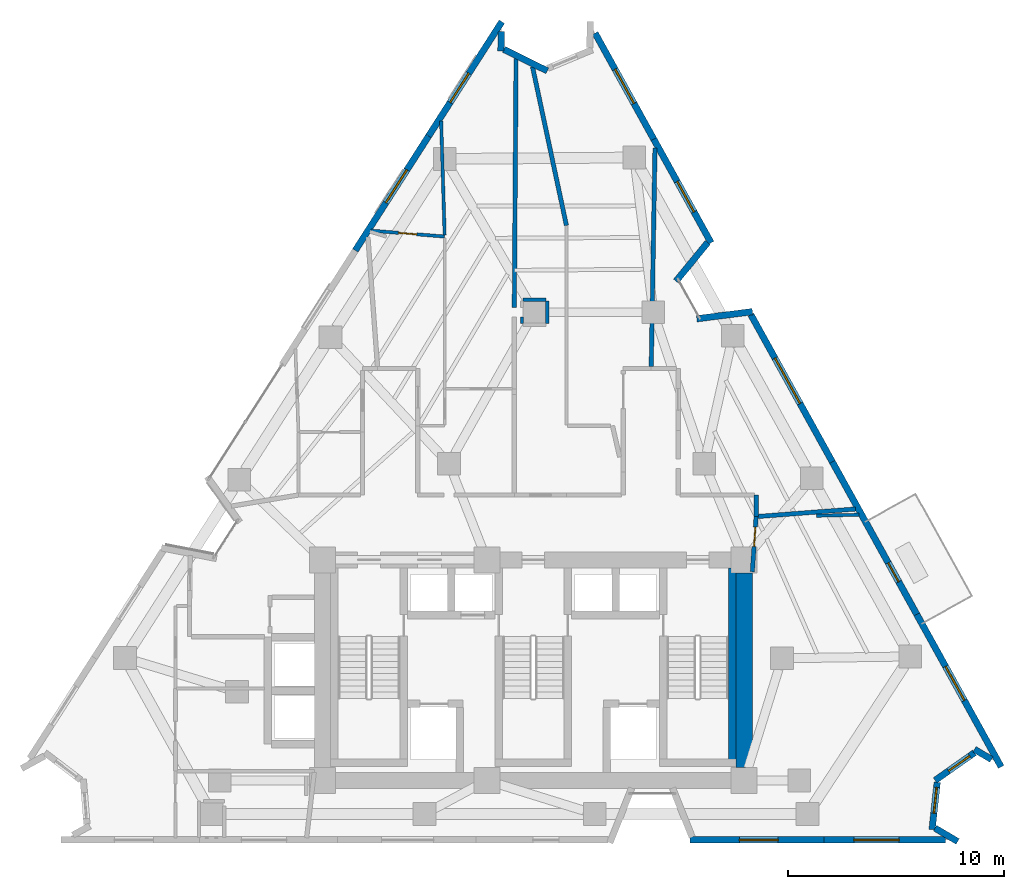
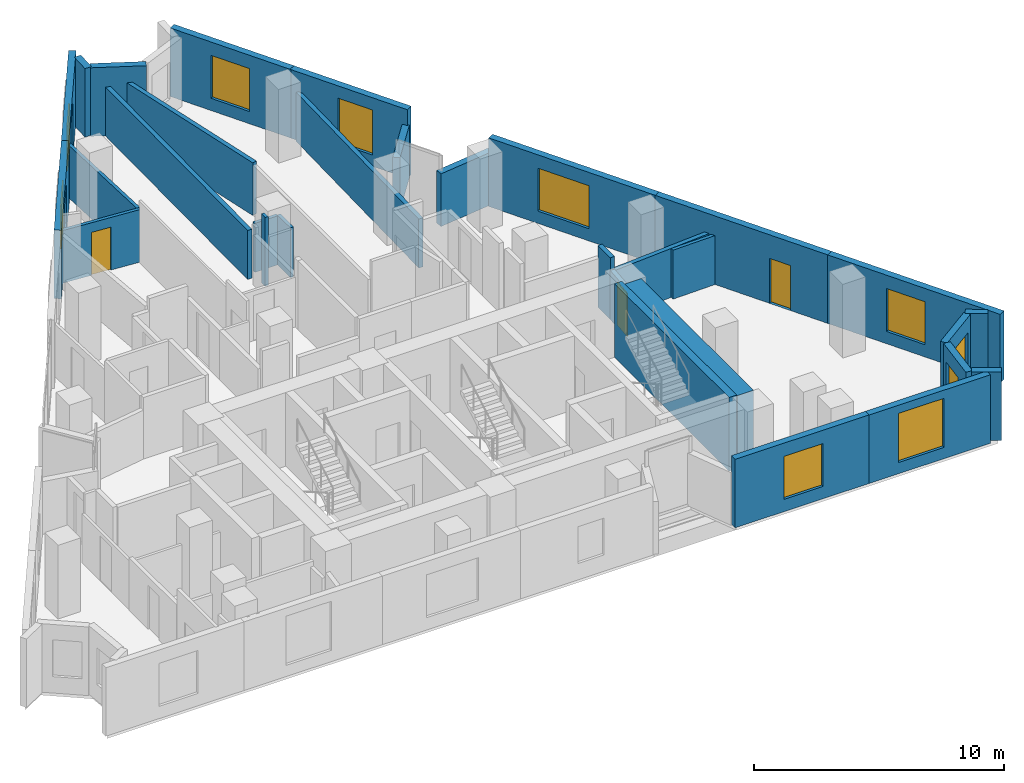
# One storey, part 8 of 11: 31 walls, 10 windows, 3 doors, 13 openings.
"""IFC4 building model written with IfcOpenShell, lengths in metres."""

from ifc_helpers import new_model, si_unit, direction, frame, frame_2d, origin, place, context, subcontext, project, spatial, rectangle, extrude, material, layer, layer_set, type_object, element, fill, save


model = new_model("IFC4")

# Units and contexts
model_context = context("Model", 3, precision=1e-05, world=origin(), true_north=direction((0.0, 1.0)))
body_context = subcontext(model_context, "Body", "Model", "MODEL_VIEW")
ifc_project = project(units=[si_unit("LENGTHUNIT", "METRE"), si_unit("AREAUNIT", "SQUARE_METRE"), si_unit("VOLUMEUNIT", "CUBIC_METRE"), si_unit("PLANEANGLEUNIT", "RADIAN"), si_unit("MASSUNIT", "GRAM", prefix="KILO")], contexts=[model_context])

# Site, building, storey
site_placement = place(None, origin())
site = spatial("IfcSite", under=ifc_project, at=site_placement, CompositionType="ELEMENT")
building_placement = place(site_placement, origin())
building = spatial("IfcBuilding", under=site, at=building_placement, Name="Almagre Mirador Tower", CompositionType="ELEMENT")
storey_placement = place(building_placement, frame((0.0, 0.0, 157.199951171875)))
storey = spatial("IfcBuildingStorey", under=building, at=storey_placement, Name="L40", CompositionType="ELEMENT", Elevation=157.199951171875)

# Wall, opening, window
ifc_material_1 = material(Name="Precast concrete C50/60", Category="concrete")
ifc_layer_1 = layer(ifc_material_1, 0.300048828125)
ifc_layer_set_1 = layer_set([ifc_layer_1], Name="Precast concrete C50/60")
wall_type_1 = type_object("IfcWallType", Name="WAL-EXT-300", PredefinedType="SOLIDWALL", material=ifc_layer_set_1)
wall_1_placement = place(storey_placement, frame((29.06689453125, 29.05859375, 0.0), z_axis=(0.0, 0.0, 1.0), x_axis=(0.539534675603, 0.841963380333, 0.0)))
wall_1 = element("IfcWall", 1, at=wall_1_placement, inside=storey, type_object=wall_type_1, Name="L40 expressed almagre precast frame wall 04", PredefinedType="SOLIDWALL", context=body_context, shape_type="SweptSolid", body=[
    extrude(rectangle(XDim=6.27880859375, YDim=0.300048828125, at=frame_2d((3.139404296875, 0.0))), origin(), (0.0, 0.0, 1.0), 3.35009765625),
])
opening_1_placement = place(wall_1_placement, frame((2.625, 0.0, 0.60009765625)))
opening_1 = element("IfcOpeningElement", 2, at=opening_1_placement, cuts=wall_1, Name="Opening WN-01", PredefinedType="OPENING", context=body_context, shape_type="SweptSolid", body=[
    extrude(rectangle(XDim=1.800048828125, YDim=2.10009765625, at=frame_2d((0.89990234375, 1.050048828125))), frame((0.0, 0.159902, 0.0), z_axis=(0.0, -1.0, 0.0), x_axis=(1.0, 0.0, 0.0)), (0.0, 0.0, 1.0), 0.320049),
])
ifc_material_2 = material(Name="Dark solar-control laminated hurricane glass", Category="glass")
window_type_1 = type_object("IfcWindowType", Name="WIN-1800X2100", PartitioningType="DOUBLE_PANEL_VERTICAL", PredefinedType="WINDOW", material=ifc_material_2)
window_1_placement = place(opening_1_placement, origin())
window_1 = element("IfcWindow", 3, at=window_1_placement, inside=storey, type_object=window_type_1, Name="L40 recessed hurricane window L40-UG-HB", OverallHeight=2.10009765625, OverallWidth=1.800048828125, PartitioningType="SINGLE_PANEL", PredefinedType="WINDOW", context=body_context, shape_type="SweptSolid", body=[
    extrude(rectangle(XDim=1.800048828125, YDim=2.10009765625, at=frame_2d((0.89990234375, 1.050048828125))), frame((0.0, 0.030029296875, 0.0), z_axis=(0.0, -1.0, 0.0), x_axis=(1.0, 0.0, 0.0)), (0.0, 0.0, 1.0), 0.06005859375),
])
fill(opening_1, window_1)

wall_2_placement = place(storey_placement, frame((32.45458984375, 34.34521484375, 0.0), z_axis=(0.0, 0.0, 1.0), x_axis=(0.539489448276, 0.841992360535, 0.0)))
wall_2 = element("IfcWall", 4, at=wall_2_placement, inside=storey, type_object=wall_type_1, Name="L40 expressed almagre precast frame wall 05", PredefinedType="SOLIDWALL", context=body_context, shape_type="SweptSolid", body=[
    extrude(rectangle(XDim=6.279052734375, YDim=0.300048828125, at=frame_2d((3.1396484375, 0.0))), origin(), (0.0, 0.0, 1.0), 3.35009765625),
])
opening_2_placement = place(wall_2_placement, frame((1.85009765625, 0.0, 0.550048828125)))
opening_2 = element("IfcOpeningElement", 5, at=opening_2_placement, cuts=wall_2, Name="Opening WN-06", PredefinedType="OPENING", context=body_context, shape_type="SweptSolid", body=[
    extrude(rectangle(XDim=1.60009765625, YDim=2.199951171875, at=frame_2d((0.800048828125, 1.10009765625))), frame((0.0, 0.159902, 0.0), z_axis=(0.0, -1.0, 0.0), x_axis=(1.0, 0.0, 0.0)), (0.0, 0.0, 1.0), 0.320049),
])
ifc_material_3 = material(Name="Dark solar-control laminated hurricane glass", Category="glass")
window_type_2 = type_object("IfcWindowType", Name="WIN-1600X2200", PartitioningType="DOUBLE_PANEL_VERTICAL", PredefinedType="WINDOW", material=ifc_material_3)
window_2_placement = place(opening_2_placement, origin())
window_2 = element("IfcWindow", 6, at=window_2_placement, inside=storey, type_object=window_type_2, Name="L40 recessed hurricane window L40-UG-SL1", OverallHeight=2.199951171875, OverallWidth=1.60009765625, PartitioningType="SINGLE_PANEL", PredefinedType="WINDOW", context=body_context, shape_type="SweptSolid", body=[
    extrude(rectangle(XDim=1.60009765625, YDim=2.199951171875, at=frame_2d((0.800048828125, 1.10009765625))), frame((0.0, 0.030029296875, 0.0), z_axis=(0.0, -1.0, 0.0), x_axis=(1.0, 0.0, 0.0)), (0.0, 0.0, 1.0), 0.06005859375),
])
fill(opening_2, window_2)

# Walls
wall_3_placement = place(storey_placement, frame((35.82763671875, 39.187255859375, 0.0), z_axis=(0.0, 0.0, 1.0), x_axis=(-0.031938584897, -0.999489833262, 0.0)))
element("IfcWall", 7, at=wall_3_placement, inside=storey, type_object=wall_type_1, Name="L40 expressed almagre precast frame wall 06", PredefinedType="SOLIDWALL", context=body_context, shape_type="SweptSolid", body=[
    extrude(rectangle(XDim=0.90966796875, YDim=0.300048828125, at=frame_2d((0.454833984375, 0.0))), origin(), (0.0, 0.0, 1.0), 3.35009765625),
])
wall_4_placement = place(storey_placement, frame((35.928466796875, 38.35595703125, 0.0), z_axis=(0.0, 0.0, 1.0), x_axis=(0.896845505116, -0.442343915922, 0.0)))
element("IfcWall", 8, at=wall_4_placement, inside=storey, type_object=wall_type_1, Name="L40 expressed almagre precast frame wall 07", PredefinedType="SOLIDWALL", context=body_context, shape_type="SweptSolid", body=[
    extrude(rectangle(XDim=2.2490234375, YDim=0.300048828125, at=frame_2d((1.12451171875, 0.0))), origin(), (0.0, 0.0, 1.0), 3.35009765625),
])

# Wall, opening, window
wall_5_placement = place(storey_placement, frame((40.15478515625, 39.106201171875, 0.0), z_axis=(0.0, 0.0, 1.0), x_axis=(0.484204903903, -0.874954633702, 0.0)))
wall_5 = element("IfcWall", 9, at=wall_5_placement, inside=storey, type_object=wall_type_1, Name="L40 expressed almagre precast frame wall 10", PredefinedType="SOLIDWALL", context=body_context, shape_type="SweptSolid", body=[
    extrude(rectangle(XDim=5.653076171875, YDim=0.300048828125, at=frame_2d((2.82666015625, 0.0))), origin(), (0.0, 0.0, 1.0), 3.35009765625),
])
opening_3_placement = place(wall_5_placement, frame((1.909912109375, 0.0, 0.60009765625)))
opening_3 = element("IfcOpeningElement", 10, at=opening_3_placement, cuts=wall_5, Name="Opening WN-01", PredefinedType="OPENING", context=body_context, shape_type="SweptSolid", body=[
    extrude(rectangle(XDim=1.800048828125, YDim=2.10009765625, at=frame_2d((0.89990234375, 1.050048828125))), frame((0.0, 0.159902, 0.0), z_axis=(0.0, -1.0, 0.0), x_axis=(1.0, 0.0, 0.0)), (0.0, 0.0, 1.0), 0.320049),
])
window_3_placement = place(opening_3_placement, origin())
window_3 = element("IfcWindow", 11, at=window_3_placement, inside=storey, type_object=window_type_1, Name="L40 recessed hurricane window L40-RST-H", OverallHeight=2.10009765625, OverallWidth=1.800048828125, PartitioningType="SINGLE_PANEL", PredefinedType="WINDOW", context=body_context, shape_type="SweptSolid", body=[
    extrude(rectangle(XDim=1.800048828125, YDim=2.10009765625, at=frame_2d((0.89990234375, 1.050048828125))), frame((0.0, 0.030029296875, 0.0), z_axis=(0.0, -1.0, 0.0), x_axis=(1.0, 0.0, 0.0)), (0.0, 0.0, 1.0), 0.06005859375),
])
fill(opening_3, window_3)

wall_6_placement = place(storey_placement, frame((42.866455078125, 34.206298828125, 0.0), z_axis=(0.0, 0.0, 1.0), x_axis=(0.484193476584, -0.874960957548, 0.0)))
wall_6 = element("IfcWall", 12, at=wall_6_placement, inside=storey, type_object=wall_type_1, Name="L40 expressed almagre precast frame wall 11", PredefinedType="SOLIDWALL", context=body_context, shape_type="SweptSolid", body=[
    extrude(rectangle(XDim=5.47998046875, YDim=0.300048828125, at=frame_2d((2.739990234375, 0.0))), origin(), (0.0, 0.0, 1.0), 3.35009765625),
])
opening_4_placement = place(wall_6_placement, frame((2.2451171875, 0.0, 0.550048828125)))
opening_4 = element("IfcOpeningElement", 13, at=opening_4_placement, cuts=wall_6, Name="Opening WN-06", PredefinedType="OPENING", context=body_context, shape_type="SweptSolid", body=[
    extrude(rectangle(XDim=1.60009765625, YDim=2.199951171875, at=frame_2d((0.800048828125, 1.10009765625))), frame((0.0, 0.159902, 0.0), z_axis=(0.0, -1.0, 0.0), x_axis=(1.0, 0.0, 0.0)), (0.0, 0.0, 1.0), 0.320049),
])
window_4_placement = place(opening_4_placement, origin())
window_4 = element("IfcWindow", 14, at=window_4_placement, inside=storey, type_object=window_type_2, Name="L40 recessed hurricane window L40-UF-ST", OverallHeight=2.199951171875, OverallWidth=1.60009765625, PartitioningType="SINGLE_PANEL", PredefinedType="WINDOW", context=body_context, shape_type="SweptSolid", body=[
    extrude(rectangle(XDim=1.60009765625, YDim=2.199951171875, at=frame_2d((0.800048828125, 1.10009765625))), frame((0.0, 0.030029296875, 0.0), z_axis=(0.0, -1.0, 0.0), x_axis=(1.0, 0.0, 0.0)), (0.0, 0.0, 1.0), 0.06005859375),
])
fill(opening_4, window_4)

# Walls
wall_7_placement = place(storey_placement, frame((45.36328125, 29.42578125, 0.0), z_axis=(0.0, 0.0, 1.0), x_axis=(-0.634082112051, -0.773265720937, 0.0)))
element("IfcWall", 15, at=wall_7_placement, inside=storey, type_object=wall_type_1, Name="L40 expressed almagre precast frame wall 12", PredefinedType="SOLIDWALL", context=body_context, shape_type="SweptSolid", body=[
    extrude(rectangle(XDim=2.313720703125, YDim=0.300048828125, at=frame_2d((1.15673828125, 0.0))), origin(), (0.0, 0.0, 1.0), 2.574951171875),
])
wall_8_placement = place(storey_placement, frame((44.858154296875, 25.8994140625, 0.0), z_axis=(0.0, 0.0, 1.0), x_axis=(0.991953049751, 0.126606267974, 0.0)))
element("IfcWall", 16, at=wall_8_placement, inside=storey, type_object=wall_type_1, Name="L40 expressed almagre precast frame wall 13", PredefinedType="SOLIDWALL", context=body_context, shape_type="SweptSolid", body=[
    extrude(rectangle(XDim=2.593505859375, YDim=0.300048828125, at=frame_2d((1.296875, 0.0))), origin(), (0.0, 0.0, 1.0), 2.574951171875),
])

# Wall, opening, window
wall_9_placement = place(storey_placement, frame((47.35986328125, 26.08740234375, 0.0), z_axis=(0.0, 0.0, 1.0), x_axis=(0.484182040501, -0.874967286049, 0.0)))
wall_9 = element("IfcWall", 17, at=wall_9_placement, inside=storey, type_object=wall_type_1, Name="L40 expressed almagre precast frame wall 14", PredefinedType="SOLIDWALL", context=body_context, shape_type="SweptSolid", body=[
    extrude(rectangle(XDim=7.779296875, YDim=0.300048828125, at=frame_2d((3.8896484375, 0.0))), origin(), (0.0, 0.0, 1.0), 3.35009765625),
])
opening_5_placement = place(wall_9_placement, frame((2.294921875, 0.0, 0.60009765625)))
opening_5 = element("IfcOpeningElement", 18, at=opening_5_placement, cuts=wall_9, Name="Opening WN-02", PredefinedType="OPENING", context=body_context, shape_type="SweptSolid", body=[
    extrude(rectangle(XDim=2.39990234375, YDim=2.10009765625, at=frame_2d((1.199951171875, 1.050048828125))), frame((0.0, 0.159902, 0.0), z_axis=(0.0, -1.0, 0.0), x_axis=(1.0, 0.0, 0.0)), (0.0, 0.0, 1.0), 0.320049),
])
ifc_material_4 = material(Name="Dark solar-control laminated hurricane glass", Category="glass")
window_type_3 = type_object("IfcWindowType", Name="WIN-2400X2100", PartitioningType="TRIPLE_PANEL_VERTICAL", PredefinedType="WINDOW", material=ifc_material_4)
window_5_placement = place(opening_5_placement, origin())
window_5 = element("IfcWindow", 19, at=window_5_placement, inside=storey, type_object=window_type_3, Name="L40 recessed hurricane window L40-UF-ST", OverallHeight=2.10009765625, OverallWidth=2.39990234375, PartitioningType="SINGLE_PANEL", PredefinedType="WINDOW", context=body_context, shape_type="SweptSolid", body=[
    extrude(rectangle(XDim=2.39990234375, YDim=2.10009765625, at=frame_2d((1.199951171875, 1.050048828125))), frame((0.0, 0.030029296875, 0.0), z_axis=(0.0, -1.0, 0.0), x_axis=(1.0, 0.0, 0.0)), (0.0, 0.0, 1.0), 0.06005859375),
])
fill(opening_5, window_5)

# Wall, opening, door
wall_10_placement = place(storey_placement, frame((51.12646484375, 19.28076171875, 0.0), z_axis=(0.0, 0.0, 1.0), x_axis=(0.484181305153, -0.87496769297, 0.0)))
wall_10 = element("IfcWall", 20, at=wall_10_placement, inside=storey, type_object=wall_type_1, Name="L40 expressed almagre precast frame wall 15", PredefinedType="SOLIDWALL", context=body_context, shape_type="SweptSolid", body=[
    extrude(rectangle(XDim=8.05908203125, YDim=0.300048828125, at=frame_2d((4.029541015625, 0.0))), origin(), (0.0, 0.0, 1.0), 3.35009765625),
])
opening_6_placement = place(wall_10_placement, frame((5.3349609375, 0.0, 0.0)))
opening_6 = element("IfcOpeningElement", 21, at=opening_6_placement, cuts=wall_10, Name="Opening BD-01", PredefinedType="OPENING", context=body_context, shape_type="SweptSolid", body=[
    extrude(rectangle(XDim=1.0, YDim=2.199951171875, at=frame_2d((0.5, 1.10009765625))), frame((0.0, 0.159902, 0.0), z_axis=(0.0, -1.0, 0.0), x_axis=(1.0, 0.0, 0.0)), (0.0, 0.0, 1.0), 0.320049),
])
ifc_material_5 = material(Name="Black anodized aluminium and laminated glass", Category="aluminium")
door_type_1 = type_object("IfcDoorType", Name="DOR-BAL-1000X2200", OperationType="NOTDEFINED", PredefinedType="DOOR", material=ifc_material_5)
door_1_placement = place(opening_6_placement, origin())
door_1 = element("IfcDoor", 22, at=door_1_placement, inside=storey, type_object=door_type_1, Name="DR-1287 L40 east balcony glazed door 1", OperationType="SINGLE_SWING_LEFT", OverallHeight=2.199951171875, OverallWidth=1.0, PredefinedType="DOOR", context=body_context, shape_type="SweptSolid", body=[
    extrude(rectangle(XDim=1.0, YDim=2.199951171875, at=frame_2d((0.5, 1.10009765625))), frame((0.0, 0.02490234375, 0.0), z_axis=(0.0, -1.0, 0.0), x_axis=(1.0, 0.0, 0.0)), (0.0, 0.0, 1.0), 0.050048828125),
])
fill(opening_6, door_1)

# Wall, opening, window
wall_11_placement = place(storey_placement, frame((55.028564453125, 12.229248046875, 0.0), z_axis=(0.0, 0.0, 1.0), x_axis=(0.484191662818, -0.874961961263, 0.0)))
wall_11 = element("IfcWall", 23, at=wall_11_placement, inside=storey, type_object=wall_type_1, Name="L40 expressed almagre precast frame wall 16", PredefinedType="SOLIDWALL", context=body_context, shape_type="SweptSolid", body=[
    extrude(rectangle(XDim=8.0595703125, YDim=0.300048828125, at=frame_2d((4.02978515625, 0.0))), origin(), (0.0, 0.0, 1.0), 3.35009765625),
])
opening_7_placement = place(wall_11_placement, frame((2.75, 0.0, 0.60009765625)))
opening_7 = element("IfcOpeningElement", 24, at=opening_7_placement, cuts=wall_11, Name="Opening WN-01", PredefinedType="OPENING", context=body_context, shape_type="SweptSolid", body=[
    extrude(rectangle(XDim=1.800048828125, YDim=2.10009765625, at=frame_2d((0.89990234375, 1.050048828125))), frame((0.0, 0.159902, 0.0), z_axis=(0.0, -1.0, 0.0), x_axis=(1.0, 0.0, 0.0)), (0.0, 0.0, 1.0), 0.320049),
])
window_6_placement = place(opening_7_placement, origin())
window_6 = element("IfcWindow", 25, at=window_6_placement, inside=storey, type_object=window_type_1, Name="L40 recessed hurricane window L40-UC-MB", OverallHeight=2.10009765625, OverallWidth=1.800048828125, PartitioningType="SINGLE_PANEL", PredefinedType="WINDOW", context=body_context, shape_type="SweptSolid", body=[
    extrude(rectangle(XDim=1.800048828125, YDim=2.10009765625, at=frame_2d((0.89990234375, 1.050048828125))), frame((0.0, 0.030029296875, 0.0), z_axis=(0.0, -1.0, 0.0), x_axis=(1.0, 0.0, 0.0)), (0.0, 0.0, 1.0), 0.06005859375),
])
fill(opening_7, window_6)

# Wall
wall_12_placement = place(storey_placement, frame((58.48388671875, 5.523681640625, 0.0), z_axis=(0.0, 0.0, 1.0), x_axis=(-0.861425815417, 0.507883416281, 0.0)))
element("IfcWall", 26, at=wall_12_placement, inside=storey, type_object=wall_type_1, Name="L40 expressed almagre precast frame wall 17", PredefinedType="SOLIDWALL", context=body_context, shape_type="SweptSolid", body=[
    extrude(rectangle(XDim=0.914306640625, YDim=0.300048828125, at=frame_2d((0.45703125, 0.0))), origin(), (0.0, 0.0, 1.0), 3.35009765625),
])

# Wall, opening, window
wall_13_placement = place(storey_placement, frame((57.698486328125, 5.83349609375, 0.0), z_axis=(0.0, 0.0, 1.0), x_axis=(-0.817967042546, -0.575265084382, 0.0)))
wall_13 = element("IfcWall", 27, at=wall_13_placement, inside=storey, type_object=wall_type_1, Name="L40 expressed almagre precast frame wall 18", PredefinedType="SOLIDWALL", context=body_context, shape_type="SweptSolid", body=[
    extrude(rectangle(XDim=2.22509765625, YDim=0.300048828125, at=frame_2d((1.112548828125, 0.0))), origin(), (0.0, 0.0, 1.0), 3.35009765625),
])
opening_8_placement = place(wall_13_placement, frame((0.264892578125, 0.0, 0.800048828125)))
opening_8 = element("IfcOpeningElement", 28, at=opening_8_placement, cuts=wall_13, Name="Opening WN-04", PredefinedType="OPENING", context=body_context, shape_type="SweptSolid", body=[
    extrude(rectangle(XDim=1.199951171875, YDim=1.800048828125, at=frame_2d((0.60009765625, 0.89990234375))), frame((0.0, 0.159902, 0.0), z_axis=(0.0, -1.0, 0.0), x_axis=(1.0, 0.0, 0.0)), (0.0, 0.0, 1.0), 0.320049),
])
ifc_material_6 = material(Name="Dark solar-control laminated hurricane glass", Category="glass")
window_type_4 = type_object("IfcWindowType", Name="WIN-1200X1800", PartitioningType="SINGLE_PANEL", PredefinedType="WINDOW", material=ifc_material_6)
window_7_placement = place(opening_8_placement, origin())
window_7 = element("IfcWindow", 29, at=window_7_placement, inside=storey, type_object=window_type_4, Name="L40 recessed hurricane window L40-UC-MB", OverallHeight=1.800048828125, OverallWidth=1.199951171875, PartitioningType="SINGLE_PANEL", PredefinedType="WINDOW", context=body_context, shape_type="SweptSolid", body=[
    extrude(rectangle(XDim=1.199951171875, YDim=1.800048828125, at=frame_2d((0.60009765625, 0.89990234375))), frame((0.0, 0.030029296875, 0.0), z_axis=(0.0, -1.0, 0.0), x_axis=(1.0, 0.0, 0.0)), (0.0, 0.0, 1.0), 0.06005859375),
])
fill(opening_8, window_7)

wall_14_placement = place(storey_placement, frame((55.975341796875, 4.469970703125, 0.0), z_axis=(0.0, 0.0, 1.0), x_axis=(-0.107733264194, -0.994179834731, 0.0)))
wall_14 = element("IfcWall", 30, at=wall_14_placement, inside=storey, type_object=wall_type_1, Name="L40 expressed almagre precast frame wall 19", PredefinedType="SOLIDWALL", context=body_context, shape_type="SweptSolid", body=[
    extrude(rectangle(XDim=2.205078125, YDim=0.300048828125, at=frame_2d((1.1025390625, 0.0))), origin(), (0.0, 0.0, 1.0), 3.35009765625),
])
opening_9_placement = place(wall_14_placement, frame((0.2451171875, 0.0, 0.800048828125)))
opening_9 = element("IfcOpeningElement", 31, at=opening_9_placement, cuts=wall_14, Name="Opening WN-04", PredefinedType="OPENING", context=body_context, shape_type="SweptSolid", body=[
    extrude(rectangle(XDim=1.199951171875, YDim=1.800048828125, at=frame_2d((0.60009765625, 0.89990234375))), frame((0.0, 0.159902, 0.0), z_axis=(0.0, -1.0, 0.0), x_axis=(1.0, 0.0, 0.0)), (0.0, 0.0, 1.0), 0.320049),
])
window_8_placement = place(opening_9_placement, origin())
window_8 = element("IfcWindow", 32, at=window_8_placement, inside=storey, type_object=window_type_4, Name="L40 recessed hurricane window L40-UC-MB", OverallHeight=1.800048828125, OverallWidth=1.199951171875, PartitioningType="SINGLE_PANEL", PredefinedType="WINDOW", context=body_context, shape_type="SweptSolid", body=[
    extrude(rectangle(XDim=1.199951171875, YDim=1.800048828125, at=frame_2d((0.60009765625, 0.89990234375))), frame((0.0, 0.030029296875, 0.0), z_axis=(0.0, -1.0, 0.0), x_axis=(1.0, 0.0, 0.0)), (0.0, 0.0, 1.0), 0.06005859375),
])
fill(opening_9, window_8)

# Wall
wall_15_placement = place(storey_placement, frame((55.87353515625, 2.345947265625, 0.0), z_axis=(0.0, 0.0, 1.0), x_axis=(0.861577684209, -0.50762574213, 0.0)))
element("IfcWall", 33, at=wall_15_placement, inside=storey, type_object=wall_type_1, Name="L40 expressed almagre precast frame wall 20", PredefinedType="SOLIDWALL", context=body_context, shape_type="SweptSolid", body=[
    extrude(rectangle(XDim=1.21533203125, YDim=0.300048828125, at=frame_2d((0.607666015625, 0.0))), origin(), (0.0, 0.0, 1.0), 3.35009765625),
])

# Wall, opening, window
wall_16_placement = place(storey_placement, frame((56.360107421875, 1.800048828125, 0.0), z_axis=(0.0, 0.0, 1.0), x_axis=(-1.0, 0.0, 0.0)))
wall_16 = element("IfcWall", 34, at=wall_16_placement, inside=storey, type_object=wall_type_1, Name="L40 expressed almagre precast frame wall 21", PredefinedType="SOLIDWALL", context=body_context, shape_type="SweptSolid", body=[
    extrude(rectangle(XDim=5.614013671875, YDim=0.300048828125, at=frame_2d((2.80712890625, 0.0))), origin(), (0.0, 0.0, 1.0), 3.35009765625),
])
opening_10_placement = place(wall_16_placement, frame((2.14501953125, 0.0, 0.550048828125)))
opening_10 = element("IfcOpeningElement", 35, at=opening_10_placement, cuts=wall_16, Name="Opening WN-05", PredefinedType="OPENING", context=body_context, shape_type="SweptSolid", body=[
    extrude(rectangle(XDim=2.10009765625, YDim=2.39990234375, at=frame_2d((1.050048828125, 1.199951171875))), frame((0.0, 0.159902, 0.0), z_axis=(0.0, -1.0, 0.0), x_axis=(1.0, 0.0, 0.0)), (0.0, 0.0, 1.0), 0.320049),
])
ifc_material_7 = material(Name="Dark solar-control laminated hurricane glass", Category="glass")
window_type_5 = type_object("IfcWindowType", Name="WIN-2100X2400", PartitioningType="DOUBLE_PANEL_VERTICAL", PredefinedType="WINDOW", material=ifc_material_7)
window_9_placement = place(opening_10_placement, origin())
window_9 = element("IfcWindow", 36, at=window_9_placement, inside=storey, type_object=window_type_5, Name="L40 recessed hurricane window L40-UC-KT", OverallHeight=2.39990234375, OverallWidth=2.10009765625, PartitioningType="SINGLE_PANEL", PredefinedType="WINDOW", context=body_context, shape_type="SweptSolid", body=[
    extrude(rectangle(XDim=2.10009765625, YDim=2.39990234375, at=frame_2d((1.050048828125, 1.199951171875))), frame((0.0, 0.030029296875, 0.0), z_axis=(0.0, -1.0, 0.0), x_axis=(1.0, 0.0, 0.0)), (0.0, 0.0, 1.0), 0.06005859375),
])
fill(opening_10, window_9)

wall_17_placement = place(storey_placement, frame((50.74609375, 1.800048828125, 0.0), z_axis=(0.0, 0.0, 1.0), x_axis=(-1.0, 0.0, 0.0)))
wall_17 = element("IfcWall", 37, at=wall_17_placement, inside=storey, type_object=wall_type_1, Name="L40 expressed almagre precast frame wall 22", PredefinedType="SOLIDWALL", context=body_context, shape_type="SweptSolid", body=[
    extrude(rectangle(XDim=6.194091796875, YDim=0.300048828125, at=frame_2d((3.09716796875, 0.0))), origin(), (0.0, 0.0, 1.0), 3.35009765625),
])
opening_11_placement = place(wall_17_placement, frame((2.125, 0.0, 0.60009765625)))
opening_11 = element("IfcOpeningElement", 38, at=opening_11_placement, cuts=wall_17, Name="Opening WN-01", PredefinedType="OPENING", context=body_context, shape_type="SweptSolid", body=[
    extrude(rectangle(XDim=1.800048828125, YDim=2.10009765625, at=frame_2d((0.89990234375, 1.050048828125))), frame((0.0, 0.159902, 0.0), z_axis=(0.0, -1.0, 0.0), x_axis=(1.0, 0.0, 0.0)), (0.0, 0.0, 1.0), 0.320049),
])
window_10_placement = place(opening_11_placement, origin())
window_10 = element("IfcWindow", 39, at=window_10_placement, inside=storey, type_object=window_type_1, Name="L40 recessed hurricane window L40-RST-B", OverallHeight=2.10009765625, OverallWidth=1.800048828125, PartitioningType="SINGLE_PANEL", PredefinedType="WINDOW", context=body_context, shape_type="SweptSolid", body=[
    extrude(rectangle(XDim=1.800048828125, YDim=2.10009765625, at=frame_2d((0.89990234375, 1.050048828125))), frame((0.0, 0.030029296875, 0.0), z_axis=(0.0, -1.0, 0.0), x_axis=(1.0, 0.0, 0.0)), (0.0, 0.0, 1.0), 0.06005859375),
])
fill(opening_11, window_10)

# Wall, opening, door
ifc_material_8 = material(Name="Gypsum acoustic stud partition", Category="other")
ifc_layer_2 = layer(ifc_material_8, 0.14990234375)
ifc_layer_set_2 = layer_set([ifc_layer_2], Name="Gypsum acoustic stud partition")
wall_type_2 = type_object("IfcWallType", Name="WAL-PRT-150-STD", PredefinedType="PARTITIONING", material=ifc_layer_set_2)
wall_18_placement = place(storey_placement, frame((33.199951171875, 29.699951171875, 0.0), z_axis=(0.0, 0.0, 1.0), x_axis=(-0.996817095408, 0.079722508132, 0.0)))
wall_18 = element("IfcWall", 40, at=wall_18_placement, inside=storey, type_object=wall_type_2, Name="L40 interior partition 059", PredefinedType="PARTITIONING", context=body_context, shape_type="SweptSolid", body=[
    extrude(rectangle(XDim=3.417724609375, YDim=0.14990234375, at=frame_2d((1.708984375, 0.0))), origin(), (0.0, 0.0, 1.0), 2.570068359375),
])
opening_12_placement = place(wall_18_placement, frame((1.29345703125, 0.0, 0.0)))
opening_12 = element("IfcOpeningElement", 41, at=opening_12_placement, cuts=wall_18, Name="Opening UD-04", PredefinedType="OPENING", context=body_context, shape_type="SweptSolid", body=[
    extrude(rectangle(XDim=0.85009765625, YDim=2.10009765625, at=frame_2d((0.425048828125, 1.050048828125))), frame((0.0, 0.084951, 0.0), z_axis=(0.0, -1.0, 0.0), x_axis=(1.0, 0.0, 0.0)), (0.0, 0.0, 1.0), 0.169902),
])
ifc_material_9 = material(Name="Moisture-resistant oak timber", Category="wood")
door_type_2 = type_object("IfcDoorType", Name="DOR-UNR-850X2100", OperationType="NOTDEFINED", PredefinedType="DOOR", material=ifc_material_9)
door_2_placement = place(opening_12_placement, origin())
door_2 = element("IfcDoor", 42, at=door_2_placement, inside=storey, type_object=door_type_2, Name="DR-1306 L40 interior door L40-UG-ST to L40-UG-HB", OperationType="SINGLE_SWING_RIGHT", OverallHeight=2.10009765625, OverallWidth=0.85009765625, PredefinedType="DOOR", context=body_context, shape_type="SweptSolid", body=[
    extrude(rectangle(XDim=0.85009765625, YDim=2.10009765625, at=frame_2d((0.425048828125, 1.050048828125))), frame((0.0, 0.02490234375, 0.0), z_axis=(0.0, -1.0, 0.0), x_axis=(1.0, 0.0, 0.0)), (0.0, 0.0, 1.0), 0.050048828125),
])
fill(opening_12, door_2)

# Walls
wall_19_placement = place(storey_placement, frame((33.19873046875, 29.760009765625, 0.0), z_axis=(0.0, 0.0, 1.0), x_axis=(-0.030856354446, 0.999523829326, 0.0)))
element("IfcWall", 43, at=wall_19_placement, inside=storey, type_object=wall_type_2, Name="L40 interior partition 063", PredefinedType="PARTITIONING", context=body_context, shape_type="SweptSolid", body=[
    extrude(rectangle(XDim=5.27734375, YDim=0.14990234375, at=frame_2d((2.638671875, 0.0))), origin(), (0.0, 0.0, 1.0), 2.570068359375),
])
wall_20_placement = place(storey_placement, frame((52.34912109375, 16.8359375, 0.0), z_axis=(0.0, 0.0, 1.0), x_axis=(-0.999727879239, -0.023327397455, 0.0)))
element("IfcWall", 44, at=wall_20_placement, inside=storey, type_object=wall_type_2, Name="L40 interior partition 067", PredefinedType="PARTITIONING", context=body_context, shape_type="SweptSolid", body=[
    extrude(rectangle(XDim=1.967529296875, YDim=0.14990234375, at=frame_2d((0.98388671875, 0.0))), origin(), (0.0, 0.0, 1.0), 2.39306640625),
])
wall_21_placement = place(storey_placement, frame((36.820068359375, 26.780029296875, 0.0), z_axis=(0.0, 0.0, 1.0), x_axis=(1.0, 0.0, 0.0)))
element("IfcWall", 45, at=wall_21_placement, inside=storey, type_object=wall_type_2, Name="L40 interior partition 076", PredefinedType="PARTITIONING", context=body_context, shape_type="SweptSolid", body=[
    extrude(rectangle(XDim=1.06982421875, YDim=0.14990234375, at=frame_2d((0.534912109375, 0.0))), origin(), (0.0, 0.0, 1.0), 2.39306640625),
])
wall_22_placement = place(storey_placement, frame((37.93994140625, 26.72998046875, 0.0), z_axis=(0.0, 0.0, 1.0), x_axis=(0.0, -1.0, 0.0)))
element("IfcWall", 46, at=wall_22_placement, inside=storey, type_object=wall_type_2, Name="L40 interior partition 077", PredefinedType="PARTITIONING", context=body_context, shape_type="SweptSolid", body=[
    extrude(rectangle(XDim=1.06005859375, YDim=0.14990234375, at=frame_2d((0.530029296875, 0.0))), origin(), (0.0, 0.0, 1.0), 2.43603515625),
])
wall_23_placement = place(storey_placement, frame((36.77001953125, 25.669921875, 0.0), z_axis=(0.0, 0.0, 1.0), x_axis=(0.0, 1.0, 0.0)))
element("IfcWall", 47, at=wall_23_placement, inside=storey, type_object=wall_type_2, Name="L40 interior partition 079", PredefinedType="PARTITIONING", context=body_context, shape_type="SweptSolid", body=[
    extrude(rectangle(XDim=0.31005859375, YDim=0.14990234375, at=frame_2d((0.155029296875, 0.0))), origin(), (0.0, 0.0, 1.0), 3.35009765625),
])

# Wall, opening, door
ifc_material_10 = material(Name="Gypsum acoustic stud partition", Category="other")
ifc_layer_3 = layer(ifc_material_10, 0.199951171875)
ifc_layer_set_3 = layer_set([ifc_layer_3], Name="Gypsum acoustic stud partition")
wall_type_3 = type_object("IfcWallType", Name="WAL-PRT-200-EI60", PredefinedType="PARTITIONING", material=ifc_layer_set_3)
wall_24_placement = place(storey_placement, frame((47.425048828125, 14.199951171875, 0.0), z_axis=(0.0, 0.0, 1.0), x_axis=(0.068484119878, 0.997652206595, 0.0)))
wall_24 = element("IfcWall", 48, at=wall_24_placement, inside=storey, type_object=wall_type_3, Name="L40 interior partition 004", PredefinedType="PARTITIONING", context=body_context, shape_type="SweptSolid", body=[
    extrude(rectangle(XDim=2.55615234375, YDim=0.199951171875, at=frame_2d((1.278076171875, 0.0))), origin(), (0.0, 0.0, 1.0), 2.39306640625),
])
opening_13_placement = place(wall_24_placement, frame((1.172119140625, 0.0, 0.0)))
opening_13 = element("IfcOpeningElement", 49, at=opening_13_placement, cuts=wall_24, Name="Opening ID-03", PredefinedType="OPENING", context=body_context, shape_type="SweptSolid", body=[
    extrude(rectangle(XDim=0.89990234375, YDim=2.10009765625, at=frame_2d((0.449951171875, 1.050048828125))), frame((0.0, 0.110098, 0.0), z_axis=(0.0, -1.0, 0.0), x_axis=(1.0, 0.0, 0.0)), (0.0, 0.0, 1.0), 0.219951),
])
ifc_material_11 = material(Name="Fire-rated hollow steel", Category="steel")
door_type_3 = type_object("IfcDoorType", Name="DOR-FD60-900X2100", OperationType="NOTDEFINED", PredefinedType="DOOR", material=ifc_material_11)
door_3_placement = place(opening_13_placement, origin())
door_3 = element("IfcDoor", 50, at=door_3_placement, inside=storey, type_object=door_type_3, Name="DR-1293 L40 interior door L40-RCOR to L40-RST-B", OperationType="SINGLE_SWING_LEFT", OverallHeight=2.10009765625, OverallWidth=0.89990234375, PredefinedType="DOOR", context=body_context, shape_type="SweptSolid", body=[
    extrude(rectangle(XDim=0.89990234375, YDim=2.10009765625, at=frame_2d((0.449951171875, 1.050048828125))), frame((0.0, 0.02490234375, 0.0), z_axis=(0.0, -1.0, 0.0), x_axis=(1.0, 0.0, 0.0)), (0.0, 0.0, 1.0), 0.050048828125),
])
fill(opening_13, door_3)

# Walls
wall_25_placement = place(storey_placement, frame((47.60009765625, 16.75, 0.0), z_axis=(0.0, 0.0, 1.0), x_axis=(0.0, 1.0, 0.0)))
element("IfcWall", 51, at=wall_25_placement, inside=storey, type_object=wall_type_3, Name="L40 interior partition 015", PredefinedType="PARTITIONING", context=body_context, shape_type="SweptSolid", body=[
    extrude(rectangle(XDim=1.0, YDim=0.199951171875, at=frame_2d((0.5, 0.0))), origin(), (0.0, 0.0, 1.0), 3.010009765625),
])
wall_26_placement = place(storey_placement, frame((52.197998046875, 17.10107421875, 0.0), z_axis=(0.0, 0.0, 1.0), x_axis=(-0.997091490512, -0.076213906529, 0.0)))
element("IfcWall", 52, at=wall_26_placement, inside=storey, type_object=wall_type_3, Name="L40 interior partition 037", PredefinedType="PARTITIONING", context=body_context, shape_type="SweptSolid", body=[
    extrude(rectangle(XDim=4.5263671875, YDim=0.199951171875, at=frame_2d((2.26318359375, 0.0))), origin(), (0.0, 0.0, 1.0), 2.39306640625),
])
wall_27_placement = place(storey_placement, frame((36.5009765625, 37.94189453125, 0.0), z_axis=(0.0, 0.0, 1.0), x_axis=(-0.007034618495, -0.999975256765, 0.0)))
element("IfcWall", 53, at=wall_27_placement, inside=storey, type_object=wall_type_3, Name="L40 interior partition 051", PredefinedType="PARTITIONING", context=body_context, shape_type="SweptSolid", body=[
    extrude(rectangle(XDim=11.522216796875, YDim=0.199951171875, at=frame_2d((5.76123046875, 0.0))), origin(), (0.0, 0.0, 1.0), 2.39306640625),
])
wall_28_placement = place(storey_placement, frame((38.830078125, 30.2099609375, 0.0), z_axis=(0.0, 0.0, 1.0), x_axis=(-0.208896033751, 0.977937854407, 0.0)))
element("IfcWall", 54, at=wall_28_placement, inside=storey, type_object=wall_type_3, Name="L40 interior partition 052", PredefinedType="PARTITIONING", context=body_context, shape_type="SweptSolid", body=[
    extrude(rectangle(XDim=7.506591796875, YDim=0.199951171875, at=frame_2d((3.75341796875, 0.0))), origin(), (0.0, 0.0, 1.0), 2.570068359375),
])
wall_29_placement = place(storey_placement, frame((42.925048828125, 33.800048828125, 0.0), z_axis=(0.0, 0.0, 1.0), x_axis=(-0.017206788201, -0.999851952261, 0.0)))
element("IfcWall", 55, at=wall_29_placement, inside=storey, type_object=wall_type_3, Name="L40 interior partition 057", PredefinedType="PARTITIONING", context=body_context, shape_type="SweptSolid", body=[
    extrude(rectangle(XDim=10.116455078125, YDim=0.199951171875, at=frame_2d((5.05810546875, 0.0))), origin(), (0.0, 0.0, 1.0), 2.39306640625),
])
ifc_material_12 = material(Name="Concrete C60/75", Category="concrete")
ifc_layer_4 = layer(ifc_material_12, 0.35009765625)
ifc_layer_set_4 = layer_set([ifc_layer_4], Name="Concrete C60/75")
wall_type_4 = type_object("IfcWallType", Name="WAL-SHF-350", PredefinedType="SOLIDWALL", material=ifc_layer_set_4)
wall_30_placement = place(storey_placement, frame((46.5, 5.199951171875, 0.0), z_axis=(0.0, 0.0, 1.0), x_axis=(0.0, 1.0, 0.0)))
element("IfcWall", 56, at=wall_30_placement, inside=storey, type_object=wall_type_4, Name="L40 shaft wall ST3-E", PredefinedType="SOLIDWALL", context=body_context, shape_type="SweptSolid", body=[
    extrude(rectangle(XDim=9.175048828125, YDim=0.35009765625, at=frame_2d((4.58740234375, 0.0))), origin(), (0.0, 0.0, 1.0), 3.60009765625),
])
ifc_material_13 = material(Name="Concrete C60/75", Category="concrete")
ifc_layer_5 = layer(ifc_material_13, 0.75)
ifc_layer_set_5 = layer_set([ifc_layer_5], Name="Concrete C60/75")
wall_type_5 = type_object("IfcWallType", Name="WAL-SHR-750", PredefinedType="SHEAR", material=ifc_layer_set_5)
wall_31_placement = place(storey_placement, frame((47.050048828125, 5.14990234375, 0.0), z_axis=(0.0, 0.0, 1.0), x_axis=(0.0, 1.0, 0.0)))
element("IfcWall", 57, at=wall_31_placement, inside=storey, type_object=wall_type_5, Name="L40 core shear wall E1", PredefinedType="SHEAR", context=body_context, shape_type="SweptSolid", body=[
    extrude(rectangle(XDim=9.0, YDim=0.75, at=frame_2d((4.5, 0.0))), origin(), (0.0, 0.0, 1.0), 3.60009765625),
])

save(model, "model.ifc")
